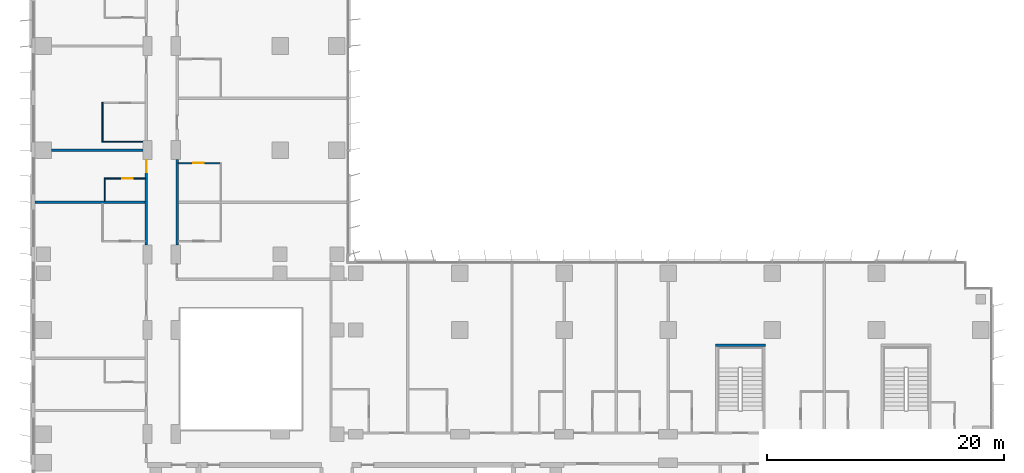
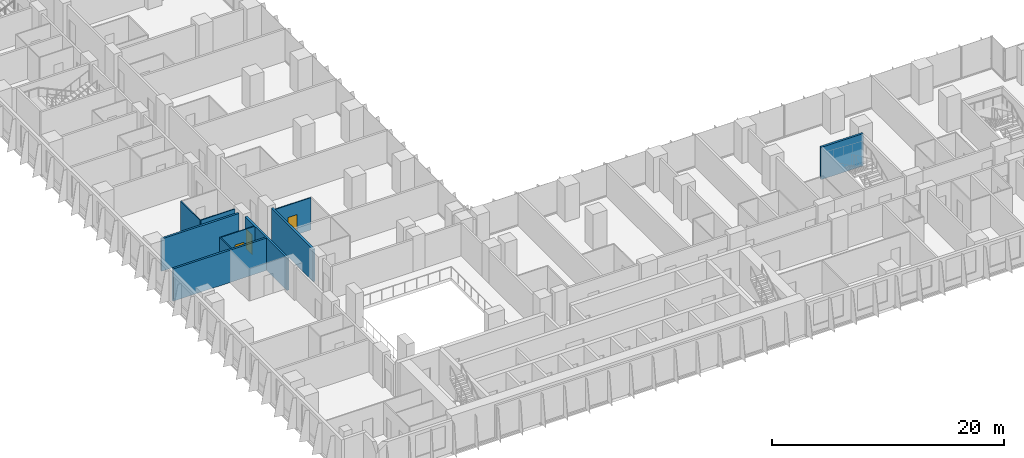
# One storey, part 15 of 24: 10 walls, 3 doors, 3 openings.
"""IFC4 building model written with IfcOpenShell, lengths in metres."""

import ifcopenshell
import ifcopenshell.guid

model = None  # the IFC model being written
_history = None  # IfcOwnerHistory: only IFC2X3 demands one
_inside = {}  # id of a spatial element -> (the spatial element, [elements in it])
_under = {}  # id of a project, library or spatial element -> (it, [spatial elements below it])
_declared = {}  # id of a project -> (the project, [libraries it declares])
_typed = {}  # id of a type object -> (the type object, [elements of that type])
_made_of = {}  # id of a material, layer set ... -> (it, [elements and type objects made of it])


def new_model(schema):
    """Start an empty IFC model of exactly this schema.

    Asked for "IFC4X3", IfcOpenShell would pick the latest addendum, in which some entities
    have other attributes; the version numbers below select the first issue.
    IFC2X3 requires an IfcOwnerHistory on every rooted entity: one is made here for all.
    """
    global model, _history
    if schema == "IFC4X3":
        model = ifcopenshell.file(schema_version=(4, 3, 0, 0))
    else:
        model = ifcopenshell.file(schema=schema)
    _inside.clear()
    _under.clear()
    _declared.clear()
    _typed.clear()
    _made_of.clear()
    _history = None
    if model.schema == "IFC2X3":
        org = make("IfcOrganization", Name="unknown")
        user = make(
            "IfcPersonAndOrganization",
            ThePerson=make("IfcPerson", FamilyName="unknown"),
            TheOrganization=org,
        )
        app = make(
            "IfcApplication",
            ApplicationDeveloper=org,
            Version="unknown",
            ApplicationFullName="unknown",
            ApplicationIdentifier="unknown",
        )
        _history = make(
            "IfcOwnerHistory",
            OwningUser=user,
            OwningApplication=app,
            ChangeAction="ADDED",
            CreationDate=0,
        )
    return model


def make(cls, **values):
    """One entity of the class cls with the attributes given. An attribute that is None is left unset."""
    return model.create_entity(
        cls, **{name: value for name, value in values.items() if value is not None}
    )


def rooted(cls, **values):
    """An entity with a GlobalId (a new one), such as an element, a storey or a relation."""
    return make(cls, GlobalId=ifcopenshell.guid.new(), OwnerHistory=_history, **values)


def si_unit(unit_type, name, prefix=None):
    """IfcSIUnit, for example si_unit("LENGTHUNIT", "METRE", prefix="MILLI")."""
    return make("IfcSIUnit", UnitType=unit_type, Prefix=prefix, Name=name)


def assignment(units):
    """IfcUnitAssignment: the units of a project."""
    return None if units is None else make("IfcUnitAssignment", Units=units)


def point(xyz):
    """IfcCartesianPoint."""
    return None if xyz is None else make("IfcCartesianPoint", Coordinates=xyz)


def direction(xyz):
    """IfcDirection."""
    return None if xyz is None else make("IfcDirection", DirectionRatios=xyz)


def frame(location, z_axis=None, x_axis=None):
    """IfcAxis2Placement3D, a coordinate frame: its origin and axes. An axis left out is left unset."""
    return make(
        "IfcAxis2Placement3D",
        Location=point(location),
        Axis=direction(z_axis),
        RefDirection=direction(x_axis),
    )


def frame_2d(location, x_axis=None):
    """IfcAxis2Placement2D, a coordinate frame in the plane: its origin and x axis."""
    return make(
        "IfcAxis2Placement2D", Location=point(location), RefDirection=direction(x_axis)
    )


def origin():
    """The frame at (0, 0, 0) with its axes left unset."""
    return frame((0.0, 0.0, 0.0))


def place(relative_to, where):
    """IfcLocalPlacement: puts the frame where relative to a parent placement (None: the world)."""
    return make(
        "IfcLocalPlacement", PlacementRelTo=relative_to, RelativePlacement=where
    )


def context(
    kind, dimensions, precision=None, world=None, true_north=None, identifier=None
):
    """IfcGeometricRepresentationContext, for example the 3D "Model" context."""
    return make(
        "IfcGeometricRepresentationContext",
        ContextIdentifier=identifier,
        ContextType=kind,
        CoordinateSpaceDimension=dimensions,
        Precision=precision,
        WorldCoordinateSystem=world,
        TrueNorth=true_north,
    )


def subcontext(parent, identifier, kind, view, scale=None):
    """IfcGeometricRepresentationSubContext, for example "Body" below "Model"."""
    return make(
        "IfcGeometricRepresentationSubContext",
        ContextIdentifier=identifier,
        ContextType=kind,
        ParentContext=parent,
        TargetScale=scale,
        TargetView=view,
    )


def project(units=None, contexts=None):
    """IfcProject with its units and contexts."""
    return rooted(
        "IfcProject",
        Name="project",
        RepresentationContexts=contexts,
        UnitsInContext=assignment(units),
    )


def spatial(cls, under=None, at=None, **own):
    """A site, building, storey or space (cls), placed at a placement, below another one or the project."""
    s = rooted(cls, ObjectPlacement=at, **own)
    if under is not None:
        _under.setdefault(under.id(), (under, []))[1].append(s)
    return s


def profile(cls, at=None, kind="AREA", **sizes):
    """A parametric profile (cls). Its sizes go by their IFC names, for example OverallWidth=200.0."""
    return make(cls, ProfileType=kind, Position=at, **sizes)


def rectangle(**sizes):
    """IfcRectangleProfileDef."""
    return profile("IfcRectangleProfileDef", **sizes)


def extrude(swept, where, along, depth):
    """IfcExtrudedAreaSolid: the profile swept, set in the frame where, extruded along a direction by depth."""
    return make(
        "IfcExtrudedAreaSolid",
        SweptArea=swept,
        Position=where,
        ExtrudedDirection=direction(along),
        Depth=depth,
    )


def shape(context_of_items, identifier, shape_type, items):
    """IfcShapeRepresentation: the items that make up one representation, for example the "Body"."""
    return make(
        "IfcShapeRepresentation",
        ContextOfItems=context_of_items,
        RepresentationIdentifier=identifier,
        RepresentationType=shape_type,
        Items=items,
    )


def material(Name=None, Category=None):
    """IfcMaterial."""
    return make("IfcMaterial", Name=Name, Category=Category)


def layer(
    of_material, thickness, ventilated=None, Name=None, Category=None, Priority=None
):
    """IfcMaterialLayer: one layer of a wall or slab, of a material (None: an air gap)."""
    return make(
        "IfcMaterialLayer",
        Material=of_material,
        LayerThickness=thickness,
        IsVentilated=ventilated,
        Name=Name,
        Category=Category,
        Priority=Priority,
    )


def layer_set(layers, Name=None):
    """IfcMaterialLayerSet."""
    return make("IfcMaterialLayerSet", MaterialLayers=layers, LayerSetName=Name)


def made_of(thing, what):
    """Note that an element or type object is made of a material, layer set ...; save() writes the relation."""
    if what is not None:
        _made_of.setdefault(what.id(), (what, []))[1].append(thing)
    return thing


def type_object(cls, material=None, **own):
    """A type object (cls), such as IfcWallType, which elements share."""
    return made_of(rooted(cls, **own), material)


def element(
    cls,
    number,
    at=None,
    inside=None,
    cuts=None,
    type_object=None,
    material=None,
    context=None,
    identifier="Body",
    shape_type=None,
    held_by="IfcProductDefinitionShape",
    body=None,
    shapes=None,
    **own,
):
    """One element of the class cls, such as IfcWall. Its Tag is "e" and its number.

    at: its placement. inside: the storey or other place that contains it. cuts: it is an
    opening in that element (IfcRelVoidsElement). A single representation is given by context,
    identifier, shape_type and body (its items); several are given by shapes. held_by: the class
    of the entity that holds the representations. save() writes the other relations.
    """
    e = rooted(cls, Tag="e%d" % number, ObjectPlacement=at, **own)
    if body is not None:
        shapes = [shape(context, identifier, shape_type, body)]
    if shapes is not None:
        e.Representation = make(held_by, Representations=shapes)
    if inside is not None:
        _inside.setdefault(inside.id(), (inside, []))[1].append(e)
    if cuts is not None:
        rooted(
            "IfcRelVoidsElement", RelatingBuildingElement=cuts, RelatedOpeningElement=e
        )
    if type_object is not None:
        _typed.setdefault(type_object.id(), (type_object, []))[1].append(e)
    return made_of(e, material)


def fill(opening, filler):
    """IfcRelFillsElement: the door or window that sits in an opening."""
    return rooted(
        "IfcRelFillsElement",
        RelatingOpeningElement=opening,
        RelatedBuildingElement=filler,
    )


def aggregate(whole, parts):
    """IfcRelAggregates: a whole, such as a stair, and the parts it consists of."""
    return rooted("IfcRelAggregates", RelatingObject=whole, RelatedObjects=parts)


def save(model, path):
    """Write the relations noted so far, then the file.

    IfcRelAggregates (storeys below a building ...), IfcRelContainedInSpatialStructure (elements
    in a storey), IfcRelDefinesByType, IfcRelAssociatesMaterial and IfcRelDeclares: one each for
    every whole, place, type object, material and project.
    """
    for whole, parts in _under.values():
        aggregate(whole, parts)
    for where, things in _inside.values():
        rooted(
            "IfcRelContainedInSpatialStructure",
            RelatedElements=things,
            RelatingStructure=where,
        )
    for kind, things in _typed.values():
        rooted("IfcRelDefinesByType", RelatedObjects=things, RelatingType=kind)
    for what, things in _made_of.values():
        rooted("IfcRelAssociatesMaterial", RelatedObjects=things, RelatingMaterial=what)
    for by, libraries in _declared.values():
        rooted("IfcRelDeclares", RelatingContext=by, RelatedDefinitions=libraries)
    model.write(path)


model = new_model("IFC4")

# Units and contexts
model_context = context("Model", 3, precision=1e-05, world=origin(), true_north=direction((0.0, 1.0)))
body_context = subcontext(model_context, "Body", "Model", "MODEL_VIEW")
ifc_project = project(units=[si_unit("LENGTHUNIT", "METRE"), si_unit("AREAUNIT", "SQUARE_METRE"), si_unit("VOLUMEUNIT", "CUBIC_METRE"), si_unit("PLANEANGLEUNIT", "RADIAN"), si_unit("MASSUNIT", "GRAM", prefix="KILO")], contexts=[model_context])

# Site, building, storey
site_placement = place(None, origin())
site = spatial("IfcSite", under=ifc_project, at=site_placement, CompositionType="ELEMENT")
building_placement = place(site_placement, origin())
building = spatial("IfcBuilding", under=site, at=building_placement, Name="Kemantara Hotel Tower", CompositionType="ELEMENT")
storey_placement = place(building_placement, frame((0.0, 0.0, 48.800048828125)))
storey = spatial("IfcBuildingStorey", under=building, at=storey_placement, Name="L10", CompositionType="ELEMENT", Elevation=48.800048828125)

# Wall, opening, door
ifc_material_1 = material(Name="Gypsum board partition, steel studs and mineral wool, 200 mm", Category="steel")
ifc_layer_1 = layer(ifc_material_1, 0.199951171875)
ifc_layer_set_1 = layer_set([ifc_layer_1], Name="Gypsum board partition, steel studs and mineral wool, 200 mm")
wall_type_1 = type_object("IfcWallType", Name="CORRIDOR WALL 200", PredefinedType="PARTITIONING", material=ifc_layer_set_1)
wall_1_placement = place(storey_placement, frame((9.699951171875, 28.2001953125, 0.0), z_axis=(0.0, 0.0, 1.0), x_axis=(0.0, 1.0, 0.0)))
wall_1 = element("IfcWall", 1, at=wall_1_placement, inside=storey, type_object=wall_type_1, Name="CORRIDOR WALL 200 030", PredefinedType="PARTITIONING", context=body_context, shape_type="SweptSolid", body=[
    extrude(rectangle(XDim=7.19970703125, YDim=0.199951171875, at=frame_2d((3.599853515625, 0.0))), origin(), (0.0, 0.0, 1.0), 3.39990234375),
])
opening_1_placement = place(wall_1_placement, frame((6.14990234375, 0.0, 0.0)))
opening_1 = element("IfcOpeningElement", 2, at=opening_1_placement, cuts=wall_1, Name="Opening F03-038", PredefinedType="OPENING", context=body_context, shape_type="SweptSolid", body=[
    extrude(rectangle(XDim=1.0, YDim=2.10009765625, at=frame_2d((0.5, 1.050048828125))), frame((0.0, 0.10986328125, 0.0), z_axis=(0.0, -1.0, 0.0), x_axis=(1.0, 0.0, 0.0)), (0.0, 0.0, 1.0), 0.219970703125),
])
ifc_material_2 = material(Name="Hardwood veneer door leaf with steel frame", Category="steel")
door_type_1 = type_object("IfcDoorType", Name="GUEST ROOM DOOR 1000 X 2100 FD30S", OperationType="NOTDEFINED", PredefinedType="DOOR", material=ifc_material_2)
door_1_placement = place(opening_1_placement, origin())
door_1 = element("IfcDoor", 3, at=door_1_placement, inside=storey, type_object=door_type_1, Name="GUEST ROOM DOOR F03-038", OperationType="SINGLE_SWING_RIGHT", OverallHeight=2.10009765625, OverallWidth=1.0, PredefinedType="DOOR", context=body_context, shape_type="SweptSolid", body=[
    extrude(rectangle(XDim=1.0, YDim=2.10009765625, at=frame_2d((0.5, 1.050048828125))), frame((0.0, 0.02490234375, 0.0), z_axis=(0.0, -1.0, 0.0), x_axis=(1.0, 0.0, 0.0)), (0.0, 0.0, 1.0), 0.050048828125),
])
fill(opening_1, door_1)

# Walls
wall_2_placement = place(storey_placement, frame((12.300048828125, 28.2001953125, 0.0), z_axis=(0.0, 0.0, 1.0), x_axis=(0.0, 1.0, 0.0)))
element("IfcWall", 4, at=wall_2_placement, inside=storey, type_object=wall_type_1, Name="CORRIDOR WALL 200 047", PredefinedType="PARTITIONING", context=body_context, shape_type="SweptSolid", body=[
    extrude(rectangle(XDim=7.19970703125, YDim=0.199951171875, at=frame_2d((3.599853515625, 0.0))), origin(), (0.0, 0.0, 1.0), 3.39990234375),
])
ifc_material_3 = material(Name="Concrete fc 40 MPa", Category="concrete")
ifc_layer_2 = layer(ifc_material_3, 0.199951171875)
ifc_layer_set_2 = layer_set([ifc_layer_2], Name="Concrete fc 40 MPa")
wall_type_2 = type_object("IfcWallType", Name="Concrete stair wall 200 mm", PredefinedType="SHEAR", material=ifc_layer_set_2)
wall_3_placement = place(storey_placement, frame((57.800048828125, 19.699951171875, 0.0), z_axis=(0.0, 0.0, 1.0), x_axis=(1.0, 0.0, 0.0)))
element("IfcWall", 5, at=wall_3_placement, inside=storey, type_object=wall_type_2, Name="Stair ST3 enclosure wall N", PredefinedType="SHEAR", context=body_context, shape_type="SweptSolid", body=[
    extrude(rectangle(XDim=4.199951171875, YDim=0.199951171875, at=frame_2d((2.10009765625, 0.0))), origin(), (0.0, 0.0, 1.0), 3.39990234375),
])
ifc_layer_3 = layer(ifc_material_1, 0.199951171875)
ifc_layer_set_3 = layer_set([ifc_layer_3], Name="Gypsum board partition, steel studs and mineral wool, 200 mm")
wall_type_3 = type_object("IfcWallType", Name="GUEST ROOM PARTY WALL 200", PredefinedType="PARTITIONING", material=ifc_layer_set_3)
wall_4_placement = place(storey_placement, frame((0.31005859375, 31.800048828125, 0.0), z_axis=(0.0, 0.0, 1.0), x_axis=(1.0, 0.0, 0.0)))
element("IfcWall", 6, at=wall_4_placement, inside=storey, type_object=wall_type_3, Name="GUEST ROOM PARTY WALL 200 038", PredefinedType="PARTITIONING", context=body_context, shape_type="SweptSolid", body=[
    extrude(rectangle(XDim=9.2900390625, YDim=0.199951171875, at=frame_2d((4.64501953125, 0.0))), origin(), (0.0, 0.0, 1.0), 3.39990234375),
])
wall_5_placement = place(storey_placement, frame((1.7001953125, 36.199951171875, 0.0), z_axis=(0.0, 0.0, 1.0), x_axis=(1.0, 0.0, 0.0)))
element("IfcWall", 7, at=wall_5_placement, inside=storey, type_object=wall_type_3, Name="GUEST ROOM PARTY WALL 200 040", PredefinedType="PARTITIONING", context=body_context, shape_type="SweptSolid", body=[
    extrude(rectangle(XDim=7.69970703125, YDim=0.199951171875, at=frame_2d((3.849853515625, 0.0))), origin(), (0.0, 0.0, 1.0), 3.39990234375),
])
ifc_material_4 = material(Name="Gypsum board partition on steel studs, 100 mm", Category="steel")
ifc_layer_4 = layer(ifc_material_4, 0.10009765625)
ifc_layer_set_4 = layer_set([ifc_layer_4], Name="Gypsum board partition on steel studs, 100 mm")
wall_type_4 = type_object("IfcWallType", Name="ROOM PARTITION 100", PredefinedType="PARTITIONING", material=ifc_layer_set_4)
wall_6_placement = place(storey_placement, frame((6.199951171875, 31.89990234375, 0.0), z_axis=(0.0, 0.0, 1.0), x_axis=(0.0, 1.0, 0.0)))
element("IfcWall", 8, at=wall_6_placement, inside=storey, type_object=wall_type_4, Name="ROOM PARTITION 100 097", PredefinedType="PARTITIONING", context=body_context, shape_type="SweptSolid", body=[
    extrude(rectangle(XDim=1.9501953125, YDim=0.10009765625, at=frame_2d((0.97509765625, 0.0))), origin(), (0.0, 0.0, 1.0), 3.39990234375),
])
wall_7_placement = place(storey_placement, frame((6.0, 36.85009765625, 0.0), z_axis=(0.0, 0.0, 1.0), x_axis=(0.0, 1.0, 0.0)))
element("IfcWall", 9, at=wall_7_placement, inside=storey, type_object=wall_type_4, Name="ROOM PARTITION 100 105", PredefinedType="PARTITIONING", context=body_context, shape_type="SweptSolid", body=[
    extrude(rectangle(XDim=3.39990234375, YDim=0.10009765625, at=frame_2d((1.699951171875, 0.0))), origin(), (0.0, 0.0, 1.0), 3.39990234375),
])

# Wall, opening, door
wall_8_placement = place(storey_placement, frame((9.60009765625, 33.800048828125, 0.0), z_axis=(0.0, 0.0, 1.0), x_axis=(-1.0, 0.0, 0.0)))
wall_8 = element("IfcWall", 10, at=wall_8_placement, inside=storey, type_object=wall_type_4, Name="ROOM PARTITION 100 108", PredefinedType="PARTITIONING", context=body_context, shape_type="SweptSolid", body=[
    extrude(rectangle(XDim=3.35009765625, YDim=0.10009765625, at=frame_2d((1.675048828125, 0.0))), origin(), (0.0, 0.0, 1.0), 3.39990234375),
])
opening_2_placement = place(wall_8_placement, frame((1.050048828125, 0.0, 0.0)))
opening_2 = element("IfcOpeningElement", 11, at=opening_2_placement, cuts=wall_8, Name="Opening F03-039", PredefinedType="OPENING", context=body_context, shape_type="SweptSolid", body=[
    extrude(rectangle(XDim=0.89990234375, YDim=2.10009765625, at=frame_2d((0.449951171875, 1.050048828125))), frame((0.0, 0.06005859375, 0.0), z_axis=(0.0, -1.0, 0.0), x_axis=(1.0, 0.0, 0.0)), (0.0, 0.0, 1.0), 0.1201171875),
])
door_type_2 = type_object("IfcDoorType", Name="BATHROOM DOOR 900 X 2100", OperationType="NOTDEFINED", PredefinedType="DOOR", material=ifc_material_2)
door_2_placement = place(opening_2_placement, origin())
door_2 = element("IfcDoor", 12, at=door_2_placement, inside=storey, type_object=door_type_2, Name="BATHROOM DOOR F03-039", OperationType="SINGLE_SWING_LEFT", OverallHeight=2.10009765625, OverallWidth=0.89990234375, PredefinedType="DOOR", context=body_context, shape_type="SweptSolid", body=[
    extrude(rectangle(XDim=0.89990234375, YDim=2.10009765625, at=frame_2d((0.449951171875, 1.050048828125))), frame((0.0, 0.02490234375, 0.0), z_axis=(0.0, -1.0, 0.0), x_axis=(1.0, 0.0, 0.0)), (0.0, 0.0, 1.0), 0.050048828125),
])
fill(opening_2, door_2)

# Wall
wall_9_placement = place(storey_placement, frame((6.050048828125, 36.89990234375, 0.0), z_axis=(0.0, 0.0, 1.0), x_axis=(1.0, 0.0, 0.0)))
element("IfcWall", 13, at=wall_9_placement, inside=storey, type_object=wall_type_4, Name="ROOM PARTITION 100 109", PredefinedType="PARTITIONING", context=body_context, shape_type="SweptSolid", body=[
    extrude(rectangle(XDim=3.349853515625, YDim=0.10009765625, at=frame_2d((1.6748046875, 0.0))), origin(), (0.0, 0.0, 1.0), 3.39990234375),
])

# Wall, opening, door
wall_10_placement = place(storey_placement, frame((15.949951171875, 35.10009765625, 0.0), z_axis=(0.0, 0.0, 1.0), x_axis=(-1.0, 0.0, 0.0)))
wall_10 = element("IfcWall", 14, at=wall_10_placement, inside=storey, type_object=wall_type_4, Name="ROOM PARTITION 100 122", PredefinedType="PARTITIONING", context=body_context, shape_type="SweptSolid", body=[
    extrude(rectangle(XDim=3.550048828125, YDim=0.10009765625, at=frame_2d((1.77490234375, 0.0))), origin(), (0.0, 0.0, 1.0), 3.39990234375),
])
opening_3_placement = place(wall_10_placement, frame((1.39990234375, 0.0, 0.0)))
opening_3 = element("IfcOpeningElement", 15, at=opening_3_placement, cuts=wall_10, Name="Opening F03-057", PredefinedType="OPENING", context=body_context, shape_type="SweptSolid", body=[
    extrude(rectangle(XDim=0.89990234375, YDim=2.10009765625, at=frame_2d((0.449951171875, 1.050048828125))), frame((0.0, 0.06005859375, 0.0), z_axis=(0.0, -1.0, 0.0), x_axis=(1.0, 0.0, 0.0)), (0.0, 0.0, 1.0), 0.1201171875),
])
door_3_placement = place(opening_3_placement, origin())
door_3 = element("IfcDoor", 16, at=door_3_placement, inside=storey, type_object=door_type_2, Name="BATHROOM DOOR F03-057", OperationType="SINGLE_SWING_RIGHT", OverallHeight=2.10009765625, OverallWidth=0.89990234375, PredefinedType="DOOR", context=body_context, shape_type="SweptSolid", body=[
    extrude(rectangle(XDim=0.89990234375, YDim=2.10009765625, at=frame_2d((0.449951171875, 1.050048828125))), frame((0.0, 0.02490234375, 0.0), z_axis=(0.0, -1.0, 0.0), x_axis=(1.0, 0.0, 0.0)), (0.0, 0.0, 1.0), 0.050048828125),
])
fill(opening_3, door_3)

save(model, "model.ifc")
